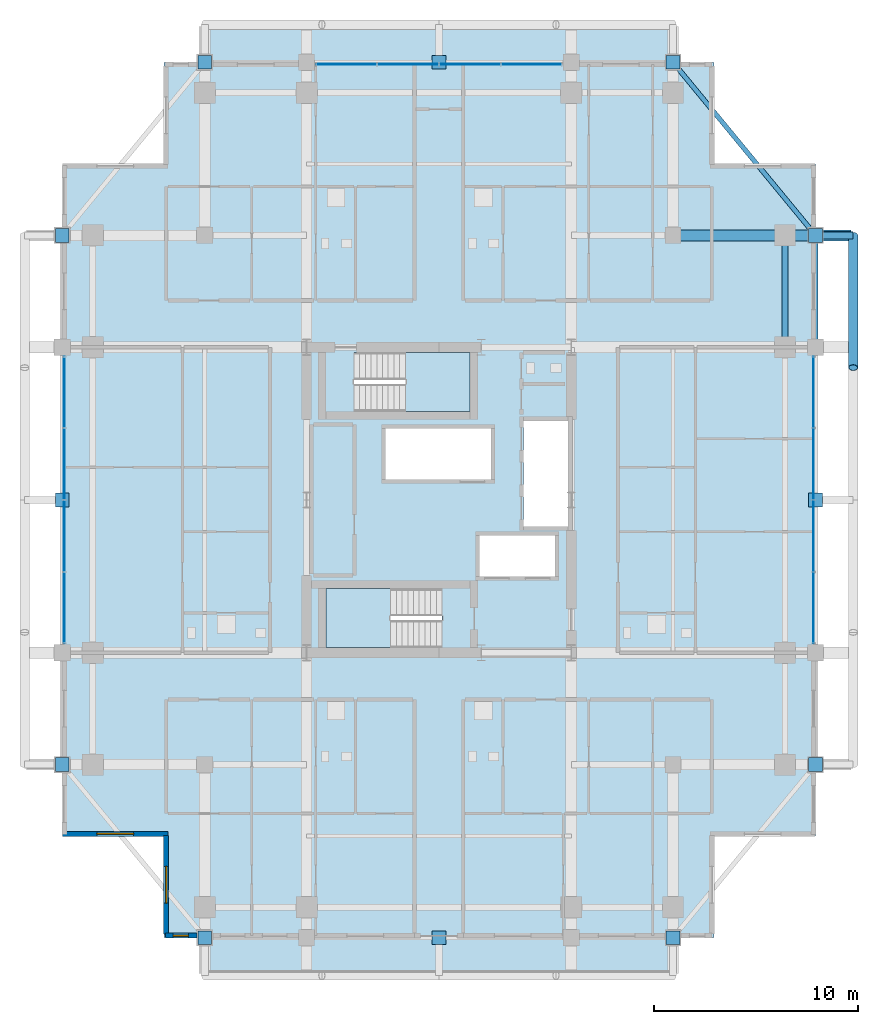
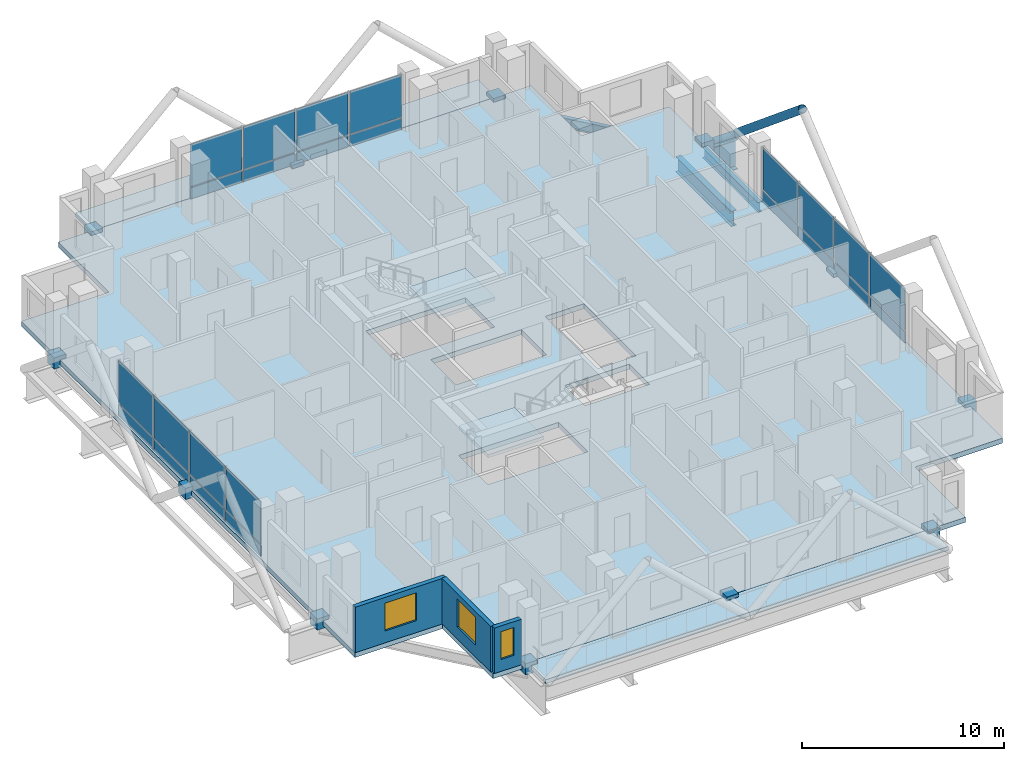
# One storey, part 15 of 23: 36 plates, 5 slabs, 4 beams, 3 walls, 3 windows, 2 members, 3 openings, 5 elements without a shape of their own.
"""IFC4 building model written with IfcOpenShell, lengths in metres."""

import ifcopenshell
import ifcopenshell.guid

model = None  # the IFC model being written
_history = None  # IfcOwnerHistory: only IFC2X3 demands one
_inside = {}  # id of a spatial element -> (the spatial element, [elements in it])
_under = {}  # id of a project, library or spatial element -> (it, [spatial elements below it])
_declared = {}  # id of a project -> (the project, [libraries it declares])
_typed = {}  # id of a type object -> (the type object, [elements of that type])
_made_of = {}  # id of a material, layer set ... -> (it, [elements and type objects made of it])


def new_model(schema):
    """Start an empty IFC model of exactly this schema.

    Asked for "IFC4X3", IfcOpenShell would pick the latest addendum, in which some entities
    have other attributes; the version numbers below select the first issue.
    IFC2X3 requires an IfcOwnerHistory on every rooted entity: one is made here for all.
    """
    global model, _history
    if schema == "IFC4X3":
        model = ifcopenshell.file(schema_version=(4, 3, 0, 0))
    else:
        model = ifcopenshell.file(schema=schema)
    _inside.clear()
    _under.clear()
    _declared.clear()
    _typed.clear()
    _made_of.clear()
    _history = None
    if model.schema == "IFC2X3":
        org = make("IfcOrganization", Name="unknown")
        user = make(
            "IfcPersonAndOrganization",
            ThePerson=make("IfcPerson", FamilyName="unknown"),
            TheOrganization=org,
        )
        app = make(
            "IfcApplication",
            ApplicationDeveloper=org,
            Version="unknown",
            ApplicationFullName="unknown",
            ApplicationIdentifier="unknown",
        )
        _history = make(
            "IfcOwnerHistory",
            OwningUser=user,
            OwningApplication=app,
            ChangeAction="ADDED",
            CreationDate=0,
        )
    return model


def make(cls, **values):
    """One entity of the class cls with the attributes given. An attribute that is None is left unset."""
    return model.create_entity(
        cls, **{name: value for name, value in values.items() if value is not None}
    )


def rooted(cls, **values):
    """An entity with a GlobalId (a new one), such as an element, a storey or a relation."""
    return make(cls, GlobalId=ifcopenshell.guid.new(), OwnerHistory=_history, **values)


def si_unit(unit_type, name, prefix=None):
    """IfcSIUnit, for example si_unit("LENGTHUNIT", "METRE", prefix="MILLI")."""
    return make("IfcSIUnit", UnitType=unit_type, Prefix=prefix, Name=name)


def assignment(units):
    """IfcUnitAssignment: the units of a project."""
    return None if units is None else make("IfcUnitAssignment", Units=units)


def point(xyz):
    """IfcCartesianPoint."""
    return None if xyz is None else make("IfcCartesianPoint", Coordinates=xyz)


def direction(xyz):
    """IfcDirection."""
    return None if xyz is None else make("IfcDirection", DirectionRatios=xyz)


def frame(location, z_axis=None, x_axis=None):
    """IfcAxis2Placement3D, a coordinate frame: its origin and axes. An axis left out is left unset."""
    return make(
        "IfcAxis2Placement3D",
        Location=point(location),
        Axis=direction(z_axis),
        RefDirection=direction(x_axis),
    )


def frame_2d(location, x_axis=None):
    """IfcAxis2Placement2D, a coordinate frame in the plane: its origin and x axis."""
    return make(
        "IfcAxis2Placement2D", Location=point(location), RefDirection=direction(x_axis)
    )


def origin():
    """The frame at (0, 0, 0) with its axes left unset."""
    return frame((0.0, 0.0, 0.0))


def origin_2d():
    """The frame at (0, 0) in the plane with its x axis left unset."""
    return frame_2d((0.0, 0.0))


def place(relative_to, where):
    """IfcLocalPlacement: puts the frame where relative to a parent placement (None: the world)."""
    return make(
        "IfcLocalPlacement", PlacementRelTo=relative_to, RelativePlacement=where
    )


def context(
    kind, dimensions, precision=None, world=None, true_north=None, identifier=None
):
    """IfcGeometricRepresentationContext, for example the 3D "Model" context."""
    return make(
        "IfcGeometricRepresentationContext",
        ContextIdentifier=identifier,
        ContextType=kind,
        CoordinateSpaceDimension=dimensions,
        Precision=precision,
        WorldCoordinateSystem=world,
        TrueNorth=true_north,
    )


def subcontext(parent, identifier, kind, view, scale=None):
    """IfcGeometricRepresentationSubContext, for example "Body" below "Model"."""
    return make(
        "IfcGeometricRepresentationSubContext",
        ContextIdentifier=identifier,
        ContextType=kind,
        ParentContext=parent,
        TargetScale=scale,
        TargetView=view,
    )


def project(units=None, contexts=None):
    """IfcProject with its units and contexts."""
    return rooted(
        "IfcProject",
        Name="project",
        RepresentationContexts=contexts,
        UnitsInContext=assignment(units),
    )


def spatial(cls, under=None, at=None, **own):
    """A site, building, storey or space (cls), placed at a placement, below another one or the project."""
    s = rooted(cls, ObjectPlacement=at, **own)
    if under is not None:
        _under.setdefault(under.id(), (under, []))[1].append(s)
    return s


def polyline(points):
    """IfcPolyline through the points."""
    return make("IfcPolyline", Points=[point(p) for p in points])


def profile(cls, at=None, kind="AREA", **sizes):
    """A parametric profile (cls). Its sizes go by their IFC names, for example OverallWidth=200.0."""
    return make(cls, ProfileType=kind, Position=at, **sizes)


def rectangle(**sizes):
    """IfcRectangleProfileDef."""
    return profile("IfcRectangleProfileDef", **sizes)


def hollow_circle(**sizes):
    """IfcCircleHollowProfileDef."""
    return profile("IfcCircleHollowProfileDef", **sizes)


def i_section(**sizes):
    """IfcIShapeProfileDef."""
    return profile("IfcIShapeProfileDef", **sizes)


def outline(outer, holes=None, kind="AREA"):
    """IfcArbitraryClosedProfileDef: a profile drawn as a closed curve; with holes, ...WithVoids."""
    if holes is None:
        return make("IfcArbitraryClosedProfileDef", ProfileType=kind, OuterCurve=outer)
    return make(
        "IfcArbitraryProfileDefWithVoids",
        ProfileType=kind,
        OuterCurve=outer,
        InnerCurves=holes,
    )


def extrude(swept, where, along, depth):
    """IfcExtrudedAreaSolid: the profile swept, set in the frame where, extruded along a direction by depth."""
    return make(
        "IfcExtrudedAreaSolid",
        SweptArea=swept,
        Position=where,
        ExtrudedDirection=direction(along),
        Depth=depth,
    )


def shape(context_of_items, identifier, shape_type, items):
    """IfcShapeRepresentation: the items that make up one representation, for example the "Body"."""
    return make(
        "IfcShapeRepresentation",
        ContextOfItems=context_of_items,
        RepresentationIdentifier=identifier,
        RepresentationType=shape_type,
        Items=items,
    )


def material(Name=None, Category=None):
    """IfcMaterial."""
    return make("IfcMaterial", Name=Name, Category=Category)


def layer(
    of_material, thickness, ventilated=None, Name=None, Category=None, Priority=None
):
    """IfcMaterialLayer: one layer of a wall or slab, of a material (None: an air gap)."""
    return make(
        "IfcMaterialLayer",
        Material=of_material,
        LayerThickness=thickness,
        IsVentilated=ventilated,
        Name=Name,
        Category=Category,
        Priority=Priority,
    )


def layer_set(layers, Name=None):
    """IfcMaterialLayerSet."""
    return make("IfcMaterialLayerSet", MaterialLayers=layers, LayerSetName=Name)


def material_profile(
    of_material, cross_section, Name=None, Category=None, Priority=None
):
    """IfcMaterialProfile: a cross section and its material."""
    return make(
        "IfcMaterialProfile",
        Name=Name,
        Material=of_material,
        Profile=cross_section,
        Priority=Priority,
        Category=Category,
    )


def profile_set(profiles, Name=None, composite=None):
    """IfcMaterialProfileSet."""
    return make(
        "IfcMaterialProfileSet",
        Name=Name,
        MaterialProfiles=profiles,
        CompositeProfile=composite,
    )


def made_of(thing, what):
    """Note that an element or type object is made of a material, layer set ...; save() writes the relation."""
    if what is not None:
        _made_of.setdefault(what.id(), (what, []))[1].append(thing)
    return thing


def type_object(cls, material=None, **own):
    """A type object (cls), such as IfcWallType, which elements share."""
    return made_of(rooted(cls, **own), material)


def element(
    cls,
    number,
    at=None,
    inside=None,
    cuts=None,
    type_object=None,
    material=None,
    context=None,
    identifier="Body",
    shape_type=None,
    held_by="IfcProductDefinitionShape",
    body=None,
    shapes=None,
    **own,
):
    """One element of the class cls, such as IfcWall. Its Tag is "e" and its number.

    at: its placement. inside: the storey or other place that contains it. cuts: it is an
    opening in that element (IfcRelVoidsElement). A single representation is given by context,
    identifier, shape_type and body (its items); several are given by shapes. held_by: the class
    of the entity that holds the representations. save() writes the other relations.
    """
    e = rooted(cls, Tag="e%d" % number, ObjectPlacement=at, **own)
    if body is not None:
        shapes = [shape(context, identifier, shape_type, body)]
    if shapes is not None:
        e.Representation = make(held_by, Representations=shapes)
    if inside is not None:
        _inside.setdefault(inside.id(), (inside, []))[1].append(e)
    if cuts is not None:
        rooted(
            "IfcRelVoidsElement", RelatingBuildingElement=cuts, RelatedOpeningElement=e
        )
    if type_object is not None:
        _typed.setdefault(type_object.id(), (type_object, []))[1].append(e)
    return made_of(e, material)


def fill(opening, filler):
    """IfcRelFillsElement: the door or window that sits in an opening."""
    return rooted(
        "IfcRelFillsElement",
        RelatingOpeningElement=opening,
        RelatedBuildingElement=filler,
    )


def aggregate(whole, parts):
    """IfcRelAggregates: a whole, such as a stair, and the parts it consists of."""
    return rooted("IfcRelAggregates", RelatingObject=whole, RelatedObjects=parts)


def save(model, path):
    """Write the relations noted so far, then the file.

    IfcRelAggregates (storeys below a building ...), IfcRelContainedInSpatialStructure (elements
    in a storey), IfcRelDefinesByType, IfcRelAssociatesMaterial and IfcRelDeclares: one each for
    every whole, place, type object, material and project.
    """
    for whole, parts in _under.values():
        aggregate(whole, parts)
    for where, things in _inside.values():
        rooted(
            "IfcRelContainedInSpatialStructure",
            RelatedElements=things,
            RelatingStructure=where,
        )
    for kind, things in _typed.values():
        rooted("IfcRelDefinesByType", RelatedObjects=things, RelatingType=kind)
    for what, things in _made_of.values():
        rooted("IfcRelAssociatesMaterial", RelatedObjects=things, RelatingMaterial=what)
    for by, libraries in _declared.values():
        rooted("IfcRelDeclares", RelatingContext=by, RelatedDefinitions=libraries)
    model.write(path)


model = new_model("IFC4")

# Units and contexts
model_context = context("Model", 3, precision=1e-05, world=origin(), true_north=direction((0.0, 1.0)))
body_context = subcontext(model_context, "Body", "Model", "MODEL_VIEW")
ifc_project = project(units=[si_unit("LENGTHUNIT", "METRE"), si_unit("AREAUNIT", "SQUARE_METRE"), si_unit("VOLUMEUNIT", "CUBIC_METRE"), si_unit("PLANEANGLEUNIT", "RADIAN"), si_unit("MASSUNIT", "GRAM", prefix="KILO")], contexts=[model_context])

# Site, building, storey
site_placement = place(None, origin())
site = spatial("IfcSite", under=ifc_project, at=site_placement, CompositionType="ELEMENT")
building_placement = place(site_placement, origin())
building = spatial("IfcBuilding", under=site, at=building_placement, Name="Barlavira Tower and Art Museum", CompositionType="ELEMENT")
storey_placement = place(building_placement, frame((0.0, 0.0, 165.60009765625)))
storey = spatial("IfcBuildingStorey", under=building, at=storey_placement, Name="L42", CompositionType="ELEMENT", Elevation=165.60009765625)

# Members
ifc_material_1 = material(Name="Steel S355", Category="steel")
ifc_material_profile_1 = material_profile(ifc_material_1, hollow_circle(Radius=0.228515625, WallThickness=0.02001953125, at=origin_2d()), Name="CHS 457.0x20.0")
ifc_profile_set_1 = profile_set([ifc_material_profile_1], Name="Steel S355")
member_type_1 = type_object("IfcMemberType", Name="Pale-Metal Exoskeleton Diagrid Tube CHS 457x20 Steel S355", PredefinedType="BRACE", material=ifc_profile_set_1)
member_1_placement = place(storey_placement, frame((20.35009765625, 13.0, -0.1201171875), z_axis=(0.0, -0.769196053329, 0.639012857104), x_axis=(1.0, 0.0, 0.0)))
element("IfcMember", 1, at=member_1_placement, inside=storey, type_object=member_type_1, Name="L42 Exoskeleton Diagrid Tube E", PredefinedType="BRACE", context=body_context, shape_type="SweptSolid", body=[
    extrude(hollow_circle(Radius=0.228515625, WallThickness=0.02001953125, at=origin_2d()), origin(), (0.0, 0.0, 1.0), 8.450439453125),
])
ifc_material_profile_2 = material_profile(ifc_material_1, hollow_circle(Radius=0.177734375, WallThickness=0.01611328125, at=origin_2d()), Name="CHS 355.6x16.0")
ifc_profile_set_2 = profile_set([ifc_material_profile_2], Name="Steel S355")
member_type_2 = type_object("IfcMemberType", Name="Pale-Metal Exoskeleton Tie Strut CHS 356x16 Steel S355", PredefinedType="STRUT", material=ifc_profile_set_2)
member_2_placement = place(storey_placement, frame((20.35009765625, 13.0, -0.1201171875), z_axis=(-1.0, 0.0, 0.0), x_axis=(0.0, -1.0, 0.0)))
element("IfcMember", 2, at=member_2_placement, inside=storey, type_object=member_type_2, Name="L42 Exoskeleton Tie Strut E3", PredefinedType="STRUT", context=body_context, shape_type="SweptSolid", body=[
    extrude(hollow_circle(Radius=0.177734375, WallThickness=0.01611328125, at=origin_2d()), origin(), (0.0, 0.0, 1.0), 1.85009765625),
])

# Beams
ifc_material_profile_3 = material_profile(ifc_material_1, i_section(OverallWidth=0.30908203125, OverallDepth=0.931884765625, WebThickness=0.01953125, FlangeThickness=0.034423828125, at=origin_2d()), Name="W920x313.0")
ifc_profile_set_3 = profile_set([ifc_material_profile_3], Name="Steel S355")
beam_type_1 = type_object("IfcBeamType", Name="Setback Ring Girder W920x313 Steel S355", PredefinedType="BEAM", material=ifc_profile_set_3)
beam_1_placement = place(storey_placement, frame((17.0, 7.5, -0.76611328125), z_axis=(0.0, 1.0, 0.0), x_axis=(-1.0, 0.0, 0.0)))
element("IfcBeam", 3, at=beam_1_placement, inside=storey, type_object=beam_type_1, Name="L42 Girder M-E3", PredefinedType="BEAM", context=body_context, shape_type="SweptSolid", body=[
    extrude(i_section(OverallWidth=0.30908203125, OverallDepth=0.931884765625, WebThickness=0.01953125, FlangeThickness=0.034423828125, at=origin_2d()), origin(), (0.0, 0.0, 1.0), 5.5),
])
ifc_material_profile_4 = material_profile(ifc_material_1, i_section(OverallWidth=0.22998046875, OverallDepth=0.616943359375, WebThickness=0.01318359375, FlangeThickness=0.022216796875, at=origin_2d()), Name="W610x140.0")
ifc_profile_set_4 = profile_set([ifc_material_profile_4], Name="Steel S355")
beam_type_2 = type_object("IfcBeamType", Name="Upper Shaft Spandrel Edge Beam W610x140 Steel S355", PredefinedType="SPANDREL", material=ifc_profile_set_4)
beam_2_placement = place(storey_placement, frame((18.5, 7.5, -0.608642578125), z_axis=(0.0, 1.0, 0.0), x_axis=(-1.0, 0.0, 0.0)))
element("IfcBeam", 4, at=beam_2_placement, inside=storey, type_object=beam_type_2, Name="L42 Spandrel 7", PredefinedType="SPANDREL", context=body_context, shape_type="SweptSolid", body=[
    extrude(i_section(OverallWidth=0.22998046875, OverallDepth=0.616943359375, WebThickness=0.01318359375, FlangeThickness=0.022216796875, at=origin_2d()), origin(), (0.0, 0.0, 1.0), 5.5),
])
beam_3_placement = place(storey_placement, frame((18.5, 13.0, -0.608642578125), z_axis=(-0.635707252861, 0.771930235617, 0.0), x_axis=(-0.771930235617, -0.635707252861, 0.0)))
element("IfcBeam", 5, at=beam_3_placement, inside=storey, type_object=beam_type_2, Name="L42 Spandrel 8", PredefinedType="SPANDREL", context=body_context, shape_type="SweptSolid", body=[
    extrude(i_section(OverallWidth=0.22998046875, OverallDepth=0.616943359375, WebThickness=0.01318359375, FlangeThickness=0.022216796875, at=origin_2d()), origin(), (0.0, 0.0, 1.0), 11.011474609375),
])
ifc_material_profile_5 = material_profile(ifc_material_1, i_section(OverallWidth=0.550048828125, OverallDepth=1.800048828125, WebThickness=0.02587890625, FlangeThickness=0.033935546875, at=origin_2d()), Name="CVS1800x520")
ifc_profile_set_5 = profile_set([ifc_material_profile_5], Name="Steel S355")
beam_type_3 = type_object("IfcBeamType", Name="Zone Setback Transfer Girder CVS1800x520 Steel S355", PredefinedType="USERDEFINED", material=ifc_profile_set_5)
beam_4_placement = place(storey_placement, frame((11.5, 13.0, -1.2001953125), z_axis=(1.0, 0.0, 0.0), x_axis=(0.0, 1.0, 0.0)))
element("IfcBeam", 6, at=beam_4_placement, inside=storey, type_object=beam_type_3, Name="L42 Setback Transfer Girder TGL42-12", ObjectType="TRANSFER GIRDER", PredefinedType="USERDEFINED", context=body_context, shape_type="SweptSolid", body=[
    extrude(i_section(OverallWidth=0.550048828125, OverallDepth=1.800048828125, WebThickness=0.02587890625, FlangeThickness=0.033935546875, at=origin_2d()), origin(), (0.0, 0.0, 1.0), 8.75),
])

# Slab
ifc_material_2 = material(Name="Concrete C50", Category="concrete")
ifc_layer_1 = layer(ifc_material_2, 0.239990234375, Name="Concrete C50")
ifc_layer_set_1 = layer_set([ifc_layer_1], Name="Concrete C50")
slab_type_1 = type_object("IfcSlabType", Name="Cascading Garden and Lookout Terrace Slab 240 Concrete C50", PredefinedType="FLOOR", material=ifc_layer_set_1)
slab_1_placement = place(storey_placement, frame((0.0, 0.0, -0.239990234375)))
element("IfcSlab", 7, at=slab_1_placement, inside=storey, type_object=slab_type_1, Name="L42 South Setback Terrace Slab", PredefinedType="FLOOR", context=body_context, shape_type="SweptSolid", body=[
    extrude(outline(polyline([(-11.5, -23.25), (11.5, -23.25), (11.5, -21.5), (-11.5, -21.5), (-11.5, -23.25)])), origin(), (0.0, 0.0, 1.0), 0.239990234375),
])

# Curtain wall, plates
ifc_material_3 = material(Name="Low-iron coastal laminated glass", Category="glass")
ifc_layer_2 = layer(ifc_material_3, 0.199951171875, Name="Low-iron coastal laminated glass")
ifc_layer_set_2 = layer_set([ifc_layer_2], Name="Low-iron coastal laminated glass")
curtain_wall_type = type_object("IfcCurtainWallType", Name="Pale-Metal Unitised Curtain Wall Zone 3", PredefinedType="NOTDEFINED", material=ifc_layer_set_2)
curtain_wall_1_placement = place(storey_placement, origin())
curtain_wall_1 = element("IfcCurtainWall", 8, at=curtain_wall_1_placement, inside=storey, type_object=curtain_wall_type, Name="L42 Curtain Wall CW3-L42-N-B3", PredefinedType="NOTDEFINED")
ifc_material_4 = material(Name="Pale anodised aluminium", Category="aluminium")
ifc_layer_3 = layer(ifc_material_4, 0.044921875, Name="Pale anodised aluminium")
ifc_layer_set_3 = layer_set([ifc_layer_3], Name="Pale anodised aluminium")
plate_type_1 = type_object("IfcPlateType", Name="Curtain Wall Pale-Metal Spandrel Panel 45", PredefinedType="CURTAIN_PANEL", material=ifc_layer_set_3)
plate_1_placement = place(storey_placement, frame((4.56005859375, 21.39990234375, 0.039794921875), z_axis=(0.0, 0.0, 1.0), x_axis=(-1.0, 0.0, 0.0)))
plate_1 = element("IfcPlate", 9, at=plate_1_placement, type_object=plate_type_1, Name="CW3-L42-N-B3 Spandrel Panel 0", PredefinedType="CURTAIN_PANEL", context=body_context, shape_type="SweptSolid", body=[
    extrude(rectangle(XDim=2.93994140625, YDim=0.044921875, at=origin_2d()), origin(), (0.0, 0.0, 1.0), 0.6640625),
])
plate_2_placement = place(storey_placement, frame((1.52001953125, 21.39990234375, 0.039794921875), z_axis=(0.0, 0.0, 1.0), x_axis=(-1.0, 0.0, 0.0)))
plate_2 = element("IfcPlate", 10, at=plate_2_placement, type_object=plate_type_1, Name="CW3-L42-N-B3 Spandrel Panel 1", PredefinedType="CURTAIN_PANEL", context=body_context, shape_type="SweptSolid", body=[
    extrude(rectangle(XDim=2.93994140625, YDim=0.044921875, at=origin_2d()), origin(), (0.0, 0.0, 1.0), 0.6640625),
])
plate_3_placement = place(storey_placement, frame((-1.52001953125, 21.39990234375, 0.039794921875), z_axis=(0.0, 0.0, 1.0), x_axis=(-1.0, 0.0, 0.0)))
plate_3 = element("IfcPlate", 11, at=plate_3_placement, type_object=plate_type_1, Name="CW3-L42-N-B3 Spandrel Panel 2", PredefinedType="CURTAIN_PANEL", context=body_context, shape_type="SweptSolid", body=[
    extrude(rectangle(XDim=2.93994140625, YDim=0.044921875, at=origin_2d()), origin(), (0.0, 0.0, 1.0), 0.6640625),
])
plate_4_placement = place(storey_placement, frame((-4.56005859375, 21.39990234375, 0.039794921875), z_axis=(0.0, 0.0, 1.0), x_axis=(-1.0, 0.0, 0.0)))
plate_4 = element("IfcPlate", 12, at=plate_4_placement, type_object=plate_type_1, Name="CW3-L42-N-B3 Spandrel Panel 3", PredefinedType="CURTAIN_PANEL", context=body_context, shape_type="SweptSolid", body=[
    extrude(rectangle(XDim=2.93994140625, YDim=0.044921875, at=origin_2d()), origin(), (0.0, 0.0, 1.0), 0.6640625),
])

curtain_wall_2_placement = place(storey_placement, origin())
curtain_wall_2 = element("IfcCurtainWall", 13, at=curtain_wall_2_placement, inside=storey, type_object=curtain_wall_type, Name="L42 Curtain Wall CW3-L42-W-B3", PredefinedType="NOTDEFINED")
plate_5_placement = place(storey_placement, frame((-18.39990234375, 5.31005859375, 0.039794921875), z_axis=(0.0, 0.0, 1.0), x_axis=(0.0, -1.0, 0.0)))
plate_5 = element("IfcPlate", 14, at=plate_5_placement, type_object=plate_type_1, Name="CW3-L42-W-B3 Spandrel Panel 0", PredefinedType="CURTAIN_PANEL", context=body_context, shape_type="SweptSolid", body=[
    extrude(rectangle(XDim=3.43994140625, YDim=0.044921875, at=origin_2d()), origin(), (0.0, 0.0, 1.0), 0.6640625),
])
plate_6_placement = place(storey_placement, frame((-18.39990234375, 1.77001953125, 0.039794921875), z_axis=(0.0, 0.0, 1.0), x_axis=(0.0, -1.0, 0.0)))
plate_6 = element("IfcPlate", 15, at=plate_6_placement, type_object=plate_type_1, Name="CW3-L42-W-B3 Spandrel Panel 1", PredefinedType="CURTAIN_PANEL", context=body_context, shape_type="SweptSolid", body=[
    extrude(rectangle(XDim=3.43994140625, YDim=0.044921875, at=origin_2d()), origin(), (0.0, 0.0, 1.0), 0.6640625),
])
plate_7_placement = place(storey_placement, frame((-18.39990234375, -1.77001953125, 0.039794921875), z_axis=(0.0, 0.0, 1.0), x_axis=(0.0, -1.0, 0.0)))
plate_7 = element("IfcPlate", 16, at=plate_7_placement, type_object=plate_type_1, Name="CW3-L42-W-B3 Spandrel Panel 2", PredefinedType="CURTAIN_PANEL", context=body_context, shape_type="SweptSolid", body=[
    extrude(rectangle(XDim=3.43994140625, YDim=0.044921875, at=origin_2d()), origin(), (0.0, 0.0, 1.0), 0.6640625),
])
plate_8_placement = place(storey_placement, frame((-18.39990234375, -5.31005859375, 0.039794921875), z_axis=(0.0, 0.0, 1.0), x_axis=(0.0, -1.0, 0.0)))
plate_8 = element("IfcPlate", 17, at=plate_8_placement, type_object=plate_type_1, Name="CW3-L42-W-B3 Spandrel Panel 3", PredefinedType="CURTAIN_PANEL", context=body_context, shape_type="SweptSolid", body=[
    extrude(rectangle(XDim=3.43994140625, YDim=0.044921875, at=origin_2d()), origin(), (0.0, 0.0, 1.0), 0.6640625),
])

curtain_wall_3_placement = place(storey_placement, origin())
curtain_wall_3 = element("IfcCurtainWall", 18, at=curtain_wall_3_placement, inside=storey, type_object=curtain_wall_type, Name="L42 Curtain Wall CW3-L42-E-B3", PredefinedType="NOTDEFINED")
plate_9_placement = place(storey_placement, frame((18.39990234375, -5.31005859375, 0.039794921875), z_axis=(0.0, 0.0, 1.0), x_axis=(0.0, 1.0, 0.0)))
plate_9 = element("IfcPlate", 19, at=plate_9_placement, type_object=plate_type_1, Name="CW3-L42-E-B3 Spandrel Panel 0", PredefinedType="CURTAIN_PANEL", context=body_context, shape_type="SweptSolid", body=[
    extrude(rectangle(XDim=3.43994140625, YDim=0.044921875, at=origin_2d()), origin(), (0.0, 0.0, 1.0), 0.6640625),
])
plate_10_placement = place(storey_placement, frame((18.39990234375, -1.77001953125, 0.039794921875), z_axis=(0.0, 0.0, 1.0), x_axis=(0.0, 1.0, 0.0)))
plate_10 = element("IfcPlate", 20, at=plate_10_placement, type_object=plate_type_1, Name="CW3-L42-E-B3 Spandrel Panel 1", PredefinedType="CURTAIN_PANEL", context=body_context, shape_type="SweptSolid", body=[
    extrude(rectangle(XDim=3.43994140625, YDim=0.044921875, at=origin_2d()), origin(), (0.0, 0.0, 1.0), 0.6640625),
])
plate_11_placement = place(storey_placement, frame((18.39990234375, 1.77001953125, 0.039794921875), z_axis=(0.0, 0.0, 1.0), x_axis=(0.0, 1.0, 0.0)))
plate_11 = element("IfcPlate", 21, at=plate_11_placement, type_object=plate_type_1, Name="CW3-L42-E-B3 Spandrel Panel 2", PredefinedType="CURTAIN_PANEL", context=body_context, shape_type="SweptSolid", body=[
    extrude(rectangle(XDim=3.43994140625, YDim=0.044921875, at=origin_2d()), origin(), (0.0, 0.0, 1.0), 0.6640625),
])
plate_12_placement = place(storey_placement, frame((18.39990234375, 5.31005859375, 0.039794921875), z_axis=(0.0, 0.0, 1.0), x_axis=(0.0, 1.0, 0.0)))
plate_12 = element("IfcPlate", 22, at=plate_12_placement, type_object=plate_type_1, Name="CW3-L42-E-B3 Spandrel Panel 3", PredefinedType="CURTAIN_PANEL", context=body_context, shape_type="SweptSolid", body=[
    extrude(rectangle(XDim=3.43994140625, YDim=0.044921875, at=origin_2d()), origin(), (0.0, 0.0, 1.0), 0.6640625),
])

# Plate
ifc_layer_4 = layer(ifc_material_3, 0.028076171875, Name="Low-iron coastal laminated glass")
ifc_layer_set_4 = layer_set([ifc_layer_4], Name="Low-iron coastal laminated glass")
plate_type_2 = type_object("IfcPlateType", Name="Curtain Wall Vision Glazing Panel 28", PredefinedType="CURTAIN_PANEL", material=ifc_layer_set_4)
plate_13_placement = place(storey_placement, frame((4.56005859375, 21.39990234375, 0.7841796875), z_axis=(0.0, 0.0, 1.0), x_axis=(-1.0, 0.0, 0.0)))
plate_13 = element("IfcPlate", 23, at=plate_13_placement, type_object=plate_type_2, Name="CW3-L42-N-B3 Vision Glass Panel 0", PredefinedType="CURTAIN_PANEL", context=body_context, shape_type="SweptSolid", body=[
    extrude(rectangle(XDim=2.93994140625, YDim=0.028076171875, at=origin_2d()), origin(), (0.0, 0.0, 1.0), 2.555908203125),
])

plate_14_placement = place(storey_placement, frame((1.52001953125, 21.39990234375, 0.7841796875), z_axis=(0.0, 0.0, 1.0), x_axis=(-1.0, 0.0, 0.0)))
plate_14 = element("IfcPlate", 24, at=plate_14_placement, type_object=plate_type_2, Name="CW3-L42-N-B3 Vision Glass Panel 1", PredefinedType="CURTAIN_PANEL", context=body_context, shape_type="SweptSolid", body=[
    extrude(rectangle(XDim=2.93994140625, YDim=0.028076171875, at=origin_2d()), origin(), (0.0, 0.0, 1.0), 2.555908203125),
])

plate_15_placement = place(storey_placement, frame((-1.52001953125, 21.39990234375, 0.7841796875), z_axis=(0.0, 0.0, 1.0), x_axis=(-1.0, 0.0, 0.0)))
plate_15 = element("IfcPlate", 25, at=plate_15_placement, type_object=plate_type_2, Name="CW3-L42-N-B3 Vision Glass Panel 2", PredefinedType="CURTAIN_PANEL", context=body_context, shape_type="SweptSolid", body=[
    extrude(rectangle(XDim=2.93994140625, YDim=0.028076171875, at=origin_2d()), origin(), (0.0, 0.0, 1.0), 2.555908203125),
])

plate_16_placement = place(storey_placement, frame((-4.56005859375, 21.39990234375, 0.7841796875), z_axis=(0.0, 0.0, 1.0), x_axis=(-1.0, 0.0, 0.0)))
plate_16 = element("IfcPlate", 26, at=plate_16_placement, type_object=plate_type_2, Name="CW3-L42-N-B3 Vision Glass Panel 3", PredefinedType="CURTAIN_PANEL", context=body_context, shape_type="SweptSolid", body=[
    extrude(rectangle(XDim=2.93994140625, YDim=0.028076171875, at=origin_2d()), origin(), (0.0, 0.0, 1.0), 2.555908203125),
])

aggregate(curtain_wall_1, [plate_1, plate_13, plate_2, plate_14, plate_3, plate_15, plate_4, plate_16])

plate_17_placement = place(storey_placement, frame((-18.39990234375, 5.31005859375, 0.7841796875), z_axis=(0.0, 0.0, 1.0), x_axis=(0.0, -1.0, 0.0)))
plate_17 = element("IfcPlate", 27, at=plate_17_placement, type_object=plate_type_2, Name="CW3-L42-W-B3 Vision Glass Panel 0", PredefinedType="CURTAIN_PANEL", context=body_context, shape_type="SweptSolid", body=[
    extrude(rectangle(XDim=3.43994140625, YDim=0.028076171875, at=origin_2d()), origin(), (0.0, 0.0, 1.0), 2.555908203125),
])

plate_18_placement = place(storey_placement, frame((-18.39990234375, 1.77001953125, 0.7841796875), z_axis=(0.0, 0.0, 1.0), x_axis=(0.0, -1.0, 0.0)))
plate_18 = element("IfcPlate", 28, at=plate_18_placement, type_object=plate_type_2, Name="CW3-L42-W-B3 Vision Glass Panel 1", PredefinedType="CURTAIN_PANEL", context=body_context, shape_type="SweptSolid", body=[
    extrude(rectangle(XDim=3.43994140625, YDim=0.028076171875, at=origin_2d()), origin(), (0.0, 0.0, 1.0), 2.555908203125),
])

plate_19_placement = place(storey_placement, frame((-18.39990234375, -1.77001953125, 0.7841796875), z_axis=(0.0, 0.0, 1.0), x_axis=(0.0, -1.0, 0.0)))
plate_19 = element("IfcPlate", 29, at=plate_19_placement, type_object=plate_type_2, Name="CW3-L42-W-B3 Vision Glass Panel 2", PredefinedType="CURTAIN_PANEL", context=body_context, shape_type="SweptSolid", body=[
    extrude(rectangle(XDim=3.43994140625, YDim=0.028076171875, at=origin_2d()), origin(), (0.0, 0.0, 1.0), 2.555908203125),
])

plate_20_placement = place(storey_placement, frame((-18.39990234375, -5.31005859375, 0.7841796875), z_axis=(0.0, 0.0, 1.0), x_axis=(0.0, -1.0, 0.0)))
plate_20 = element("IfcPlate", 30, at=plate_20_placement, type_object=plate_type_2, Name="CW3-L42-W-B3 Vision Glass Panel 3", PredefinedType="CURTAIN_PANEL", context=body_context, shape_type="SweptSolid", body=[
    extrude(rectangle(XDim=3.43994140625, YDim=0.028076171875, at=origin_2d()), origin(), (0.0, 0.0, 1.0), 2.555908203125),
])

aggregate(curtain_wall_2, [plate_5, plate_17, plate_6, plate_18, plate_7, plate_19, plate_8, plate_20])

plate_21_placement = place(storey_placement, frame((18.39990234375, -5.31005859375, 0.7841796875), z_axis=(0.0, 0.0, 1.0), x_axis=(0.0, 1.0, 0.0)))
plate_21 = element("IfcPlate", 31, at=plate_21_placement, type_object=plate_type_2, Name="CW3-L42-E-B3 Vision Glass Panel 0", PredefinedType="CURTAIN_PANEL", context=body_context, shape_type="SweptSolid", body=[
    extrude(rectangle(XDim=3.43994140625, YDim=0.028076171875, at=origin_2d()), origin(), (0.0, 0.0, 1.0), 2.555908203125),
])

plate_22_placement = place(storey_placement, frame((18.39990234375, -1.77001953125, 0.7841796875), z_axis=(0.0, 0.0, 1.0), x_axis=(0.0, 1.0, 0.0)))
plate_22 = element("IfcPlate", 32, at=plate_22_placement, type_object=plate_type_2, Name="CW3-L42-E-B3 Vision Glass Panel 1", PredefinedType="CURTAIN_PANEL", context=body_context, shape_type="SweptSolid", body=[
    extrude(rectangle(XDim=3.43994140625, YDim=0.028076171875, at=origin_2d()), origin(), (0.0, 0.0, 1.0), 2.555908203125),
])

plate_23_placement = place(storey_placement, frame((18.39990234375, 1.77001953125, 0.7841796875), z_axis=(0.0, 0.0, 1.0), x_axis=(0.0, 1.0, 0.0)))
plate_23 = element("IfcPlate", 33, at=plate_23_placement, type_object=plate_type_2, Name="CW3-L42-E-B3 Vision Glass Panel 2", PredefinedType="CURTAIN_PANEL", context=body_context, shape_type="SweptSolid", body=[
    extrude(rectangle(XDim=3.43994140625, YDim=0.028076171875, at=origin_2d()), origin(), (0.0, 0.0, 1.0), 2.555908203125),
])

plate_24_placement = place(storey_placement, frame((18.39990234375, 5.31005859375, 0.7841796875), z_axis=(0.0, 0.0, 1.0), x_axis=(0.0, 1.0, 0.0)))
plate_24 = element("IfcPlate", 34, at=plate_24_placement, type_object=plate_type_2, Name="CW3-L42-E-B3 Vision Glass Panel 3", PredefinedType="CURTAIN_PANEL", context=body_context, shape_type="SweptSolid", body=[
    extrude(rectangle(XDim=3.43994140625, YDim=0.028076171875, at=origin_2d()), origin(), (0.0, 0.0, 1.0), 2.555908203125),
])

aggregate(curtain_wall_3, [plate_9, plate_21, plate_10, plate_22, plate_11, plate_23, plate_12, plate_24])

# Plates
ifc_layer_5 = layer(ifc_material_1, 0.679931640625, Name="Steel S355")
ifc_layer_set_5 = layer_set([ifc_layer_5], Name="Steel S355")
plate_type_3 = type_object("IfcPlateType", Name="Exoskeleton Tie-Back Solid Cap Plate Assembly Type 5 Steel S355", PredefinedType="USERDEFINED", material=ifc_layer_set_5)
for number, where, z_axis, x_axis, name in (
    (35, (-11.5, -21.5, -0.4599609375), (0.0, 0.0, 1.0), (1.0, 0.0, 0.0), "Slab Edge Tie Cap Plate S1 ND-L42-0458"),
    (36, (0.0, -21.5, -0.4599609375), (0.0, 0.0, 1.0), (1.0, 0.0, 0.0), "Slab Edge Tie Cap Plate S2 ND-L42-0459"),
    (37, (11.5, -21.5, -0.4599609375), (0.0, 0.0, 1.0), (1.0, 0.0, 0.0), "Slab Edge Tie Cap Plate S3 ND-L42-0460"),
    (38, (-11.5, 21.5, -0.4599609375), (0.0, 0.0, 1.0), (1.0, 0.0, 0.0), "Slab Edge Tie Cap Plate N1 ND-L42-0466"),
    (39, (0.0, 21.5, -0.4599609375), (0.0, 0.0, 1.0), (1.0, 0.0, 0.0), "Slab Edge Tie Cap Plate N2 ND-L42-0467"),
    (40, (11.5, 21.5, -0.4599609375), (0.0, 0.0, 1.0), (1.0, 0.0, 0.0), "Slab Edge Tie Cap Plate N3 ND-L42-0468"),
    (41, (-18.5, -13.0, -0.4599609375), (0.0, 0.0, 1.0), (1.0, 0.0, 0.0), "Slab Edge Tie Cap Plate W1 ND-L42-0474"),
    (42, (-18.5, 0.0, -0.4599609375), (0.0, 0.0, 1.0), (1.0, 0.0, 0.0), "Slab Edge Tie Cap Plate W2 ND-L42-0475"),
    (43, (-18.5, 13.0, -0.4599609375), (0.0, 0.0, 1.0), (1.0, 0.0, 0.0), "Slab Edge Tie Cap Plate W3 ND-L42-0476"),
    (44, (18.5, -13.0, -0.4599609375), (0.0, 0.0, 1.0), (1.0, 0.0, 0.0), "Slab Edge Tie Cap Plate E1 ND-L42-0482"),
    (45, (18.5, 0.0, -0.4599609375), (0.0, 0.0, 1.0), (1.0, 0.0, 0.0), "Slab Edge Tie Cap Plate E2 ND-L42-0483"),
    (46, (18.5, 13.0, -0.4599609375), (0.0, 0.0, 1.0), (1.0, 0.0, 0.0), "Slab Edge Tie Cap Plate E3 ND-L42-0484"),
):
    element("IfcPlate", number, at=place(storey_placement, frame(where, z_axis=z_axis, x_axis=x_axis)), inside=storey, type_object=plate_type_3, Name=name, ObjectType="FLANGE_PLATE", PredefinedType="USERDEFINED", context=body_context, shape_type="SweptSolid", body=[
        extrude(rectangle(XDim=0.679931640625, YDim=0.679931640625, at=origin_2d()), origin(), (0.0, 0.0, 1.0), 0.679931640625),
    ])

# Slab
ifc_layer_6 = layer(ifc_material_2, 0.239990234375, Name="Concrete C50")
ifc_layer_set_6 = layer_set([ifc_layer_6], Name="Concrete C50")
slab_type_2 = type_object("IfcSlabType", Name="Setback Roof Strip Slab 240 Concrete C50", PredefinedType="ROOF", material=ifc_layer_set_6)
slab_2_placement = place(storey_placement, frame((0.0, 0.0, -0.239990234375)))
element("IfcSlab", 47, at=slab_2_placement, inside=storey, type_object=slab_type_2, Name="L42 North Setback Roof Strip Slab", PredefinedType="ROOF", context=body_context, shape_type="SweptSolid", body=[
    extrude(outline(polyline([(-11.5, 21.5), (11.5, 21.5), (11.5, 23.25), (-11.5, 23.25), (-11.5, 21.5)])), origin(), (0.0, 0.0, 1.0), 0.239990234375),
])

# Stair, slab
ifc_material_5 = material(Name="Concrete C45", Category="concrete")
stair_type_1 = type_object("IfcStairType", Name="Tower North Dog-Leg Exit Stair Assembly Concrete C45", PredefinedType="TWO_QUARTER_TURN_STAIR", material=ifc_material_5)
stair_1_placement = place(storey_placement, origin())
stair_1 = element("IfcStair", 48, at=stair_1_placement, inside=storey, type_object=stair_type_1, Name="L42 Tower North Exit Stair ST-T2", PredefinedType="TWO_QUARTER_TURN_STAIR")
ifc_layer_7 = layer(ifc_material_5, 0.199951171875, Name="Concrete C45")
ifc_layer_set_7 = layer_set([ifc_layer_7], Name="Concrete C45")
slab_type_3 = type_object("IfcSlabType", Name="Tower North Dog-Leg Exit Stair Half-Landing Slab 200 Concrete C45", PredefinedType="LANDING", material=ifc_layer_set_7)
slab_3_placement = place(storey_placement, frame((0.0, 0.0, 1.599853515625)))
slab_3 = element("IfcSlab", 49, at=slab_3_placement, type_object=slab_type_3, Name="ST-T2 landing 1", PredefinedType="LANDING", context=body_context, shape_type="SweptSolid", body=[
    extrude(outline(polyline([(-1.64990234375, 4.35009765625), (1.530029296875, 4.35009765625), (1.530029296875, 7.25), (-1.64990234375, 7.25), (-1.64990234375, 4.35009765625)])), origin(), (0.0, 0.0, 1.0), 0.199951171875),
])
aggregate(stair_1, [slab_3])

stair_type_2 = type_object("IfcStairType", Name="Tower South Dog-Leg Exit Stair Assembly Concrete C45", PredefinedType="TWO_QUARTER_TURN_STAIR", material=ifc_material_5)
stair_2_placement = place(storey_placement, origin())
stair_2 = element("IfcStair", 50, at=stair_2_placement, inside=storey, type_object=stair_type_2, Name="L42 Tower South Exit Stair ST-T1", PredefinedType="TWO_QUARTER_TURN_STAIR")
ifc_layer_8 = layer(ifc_material_5, 0.199951171875, Name="Concrete C45")
ifc_layer_set_8 = layer_set([ifc_layer_8], Name="Concrete C45")
slab_type_4 = type_object("IfcSlabType", Name="Tower South Dog-Leg Exit Stair Half-Landing Slab 200 Concrete C45", PredefinedType="LANDING", material=ifc_layer_set_8)
slab_4_placement = place(storey_placement, frame((0.0, 0.0, 1.599853515625)))
slab_4 = element("IfcSlab", 51, at=slab_4_placement, type_object=slab_type_4, Name="ST-T1 landing 1", PredefinedType="LANDING", context=body_context, shape_type="SweptSolid", body=[
    extrude(outline(polyline([(-2.3701171875, -4.35009765625), (-5.550048828125, -4.35009765625), (-5.550048828125, -7.25), (-2.3701171875, -7.25), (-2.3701171875, -4.35009765625)])), origin(), (0.0, 0.0, 1.0), 0.199951171875),
])
aggregate(stair_2, [slab_4])

# Slab
ifc_layer_9 = layer(ifc_material_2, 0.199951171875, Name="Concrete C50")
ifc_layer_set_9 = layer_set([ifc_layer_9], Name="Concrete C50")
slab_type_5 = type_object("IfcSlabType", Name="Zone 3 Residential Composite Slab 200 Concrete C50", PredefinedType="FLOOR", material=ifc_layer_set_9)
slab_5_placement = place(storey_placement, frame((0.0, 0.0, -0.300048828125)))
element("IfcSlab", 52, at=slab_5_placement, inside=storey, type_object=slab_type_5, Name="L42 Tower Floor Slab", PredefinedType="FLOOR", context=body_context, shape_type="SweptSolid", body=[
    extrude(outline(polyline([(-13.5, -21.5), (13.5, -21.5), (13.5, -16.5), (18.5, -16.5), (18.5, 16.5), (13.5, 16.5), (13.5, 21.5), (-13.5, 21.5), (-13.5, 16.5), (-18.5, 16.5), (-18.5, -16.5), (-13.5, -16.5), (-13.5, -21.5)]), holes=[polyline([(0.14990234375, -4.35009765625), (-5.550048828125, -4.35009765625), (-5.550048828125, -7.25), (0.14990234375, -7.25), (0.14990234375, -4.35009765625)]), polyline([(-4.169921875, 4.35009765625), (1.530029296875, 4.35009765625), (1.530029296875, 7.25), (-4.169921875, 7.25), (-4.169921875, 4.35009765625)]), polyline([(4.14990234375, -1.2900390625), (6.35009765625, -1.2900390625), (6.35009765625, 3.889892578125), (4.14990234375, 3.889892578125), (4.14990234375, -1.2900390625)]), polyline([(-2.6201171875, 1.0), (2.56005859375, 1.0), (2.56005859375, 3.5), (-2.6201171875, 3.5), (-2.6201171875, 1.0)]), polyline([(2.0, -3.75), (5.699951171875, -3.75), (5.699951171875, -1.75), (2.0, -1.75), (2.0, -3.75)])]), origin(), (0.0, 0.0, 1.0), 0.300048828125),
])

# Wall, opening, window
ifc_material_6 = material(Name="Precast concrete C40", Category="concrete")
ifc_layer_10 = layer(ifc_material_6, 0.25, Name="Precast concrete C40")
ifc_layer_set_10 = layer_set([ifc_layer_10], Name="Precast concrete C40")
wall_type = type_object("IfcWallType", Name="Notched Corner Spandrel Wall 250 Precast Concrete C40", PredefinedType="SOLIDWALL", material=ifc_layer_set_10)
wall_1_placement = place(storey_placement, frame((-13.425048828125, -21.39990234375, 0.0), z_axis=(0.0, 0.0, 1.0), x_axis=(1.0, 0.0, 0.0)))
wall_1 = element("IfcWall", 53, at=wall_1_placement, inside=storey, type_object=wall_type, Name="L42 Coastal Facade Pier Wall CW3-L42-SL-1", PredefinedType="SOLIDWALL", context=body_context, shape_type="SweptSolid", body=[
    extrude(rectangle(XDim=1.530029296875, YDim=0.25, at=frame_2d((0.76513671875, 0.0))), origin(), (0.0, 0.0, 1.0), 2.747802734375),
])
opening_1_placement = place(wall_1_placement, frame((0.363037109375, 0.0, 0.719970703125)))
opening_1 = element("IfcOpeningElement", 54, at=opening_1_placement, cuts=wall_1, Name="Opening WN-06", PredefinedType="OPENING", context=body_context, shape_type="SweptSolid", body=[
    extrude(rectangle(XDim=0.760009765625, YDim=1.679931640625, at=frame_2d((0.3798828125, 0.83984375))), frame((0.0, 0.135009765625, 0.0), z_axis=(0.0, -1.0, 0.0), x_axis=(1.0, 0.0, 0.0)), (0.0, 0.0, 1.0), 0.27001953125),
])
window_type_1 = type_object("IfcWindowType", Name="Recessed Narrow Pier Window 760x1680", PartitioningType="SINGLE_PANEL", PredefinedType="WINDOW", material=ifc_material_3)
window_1_placement = place(opening_1_placement, origin())
window_1 = element("IfcWindow", 55, at=window_1_placement, inside=storey, type_object=window_type_1, Name="L42 Punched Facade Window EWP-CW3-L42-SL-1-1", OverallHeight=1.679931640625, OverallWidth=0.760009765625, PartitioningType="SINGLE_PANEL", PredefinedType="WINDOW", context=body_context, shape_type="SweptSolid", body=[
    extrude(rectangle(XDim=0.760009765625, YDim=1.679931640625, at=frame_2d((0.3798828125, 0.83984375))), frame((0.0, 0.030029296875, 0.0), z_axis=(0.0, -1.0, 0.0), x_axis=(1.0, 0.0, 0.0)), (0.0, 0.0, 1.0), 0.06005859375),
])
fill(opening_1, window_1)

wall_2_placement = place(storey_placement, frame((-18.47998046875, -16.39990234375, 0.0), z_axis=(0.0, 0.0, 1.0), x_axis=(1.0, 0.0, 0.0)))
wall_2 = element("IfcWall", 56, at=wall_2_placement, inside=storey, type_object=wall_type, Name="L42 Notch Corner Wall SW1", PredefinedType="SOLIDWALL", context=body_context, shape_type="SweptSolid", body=[
    extrude(rectangle(XDim=5.159912109375, YDim=0.25, at=frame_2d((2.580078125, 0.0))), origin(), (0.0, 0.0, 1.0), 2.747802734375),
])
opening_2_placement = place(wall_2_placement, frame((1.679931640625, 0.0, 0.719970703125)))
opening_2 = element("IfcOpeningElement", 57, at=opening_2_placement, cuts=wall_2, Name="Opening WN-01", PredefinedType="OPENING", context=body_context, shape_type="SweptSolid", body=[
    extrude(rectangle(XDim=1.800048828125, YDim=1.679931640625, at=frame_2d((0.89990234375, 0.83984375))), frame((0.0, 0.135009765625, 0.0), z_axis=(0.0, -1.0, 0.0), x_axis=(1.0, 0.0, 0.0)), (0.0, 0.0, 1.0), 0.27001953125),
])
window_type_2 = type_object("IfcWindowType", Name="Recessed Notch Corner Punch Window 1800x1680", PartitioningType="SINGLE_PANEL", PredefinedType="WINDOW", material=ifc_material_3)
window_2_placement = place(opening_2_placement, origin())
window_2 = element("IfcWindow", 58, at=window_2_placement, inside=storey, type_object=window_type_2, Name="L42 Punched Facade Window EW-NTC-L42-SW1-1", OverallHeight=1.679931640625, OverallWidth=1.800048828125, PartitioningType="SINGLE_PANEL", PredefinedType="WINDOW", context=body_context, shape_type="SweptSolid", body=[
    extrude(rectangle(XDim=1.800048828125, YDim=1.679931640625, at=frame_2d((0.89990234375, 0.83984375))), frame((0.0, 0.030029296875, 0.0), z_axis=(0.0, -1.0, 0.0), x_axis=(1.0, 0.0, 0.0)), (0.0, 0.0, 1.0), 0.06005859375),
])
fill(opening_2, window_2)

wall_3_placement = place(storey_placement, frame((-13.39990234375, -16.47998046875, 0.0), z_axis=(0.0, 0.0, 1.0), x_axis=(0.0, -1.0, 0.0)))
wall_3 = element("IfcWall", 59, at=wall_3_placement, inside=storey, type_object=wall_type, Name="L42 Notch Corner Wall SW2", PredefinedType="SOLIDWALL", context=body_context, shape_type="SweptSolid", body=[
    extrude(rectangle(XDim=4.840087890625, YDim=0.25, at=frame_2d((2.419921875, 0.0))), origin(), (0.0, 0.0, 1.0), 2.747802734375),
])
opening_3_placement = place(wall_3_placement, frame((1.52001953125, 0.0, 0.719970703125)))
opening_3 = element("IfcOpeningElement", 60, at=opening_3_placement, cuts=wall_3, Name="Opening WN-01", PredefinedType="OPENING", context=body_context, shape_type="SweptSolid", body=[
    extrude(rectangle(XDim=1.800048828125, YDim=1.679931640625, at=frame_2d((0.89990234375, 0.83984375))), frame((0.0, 0.135009765625, 0.0), z_axis=(0.0, -1.0, 0.0), x_axis=(1.0, 0.0, 0.0)), (0.0, 0.0, 1.0), 0.27001953125),
])
window_3_placement = place(opening_3_placement, origin())
window_3 = element("IfcWindow", 61, at=window_3_placement, inside=storey, type_object=window_type_2, Name="L42 Punched Facade Window EW-NTC-L42-SW2-1", OverallHeight=1.679931640625, OverallWidth=1.800048828125, PartitioningType="SINGLE_PANEL", PredefinedType="WINDOW", context=body_context, shape_type="SweptSolid", body=[
    extrude(rectangle(XDim=1.800048828125, YDim=1.679931640625, at=frame_2d((0.89990234375, 0.83984375))), frame((0.0, 0.030029296875, 0.0), z_axis=(0.0, -1.0, 0.0), x_axis=(1.0, 0.0, 0.0)), (0.0, 0.0, 1.0), 0.06005859375),
])
fill(opening_3, window_3)

save(model, "model.ifc")
